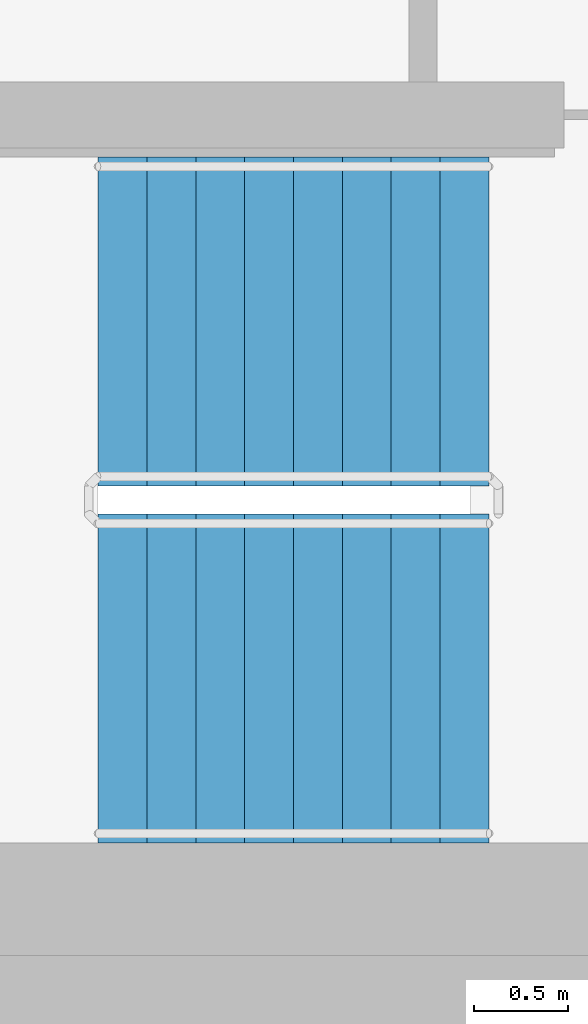
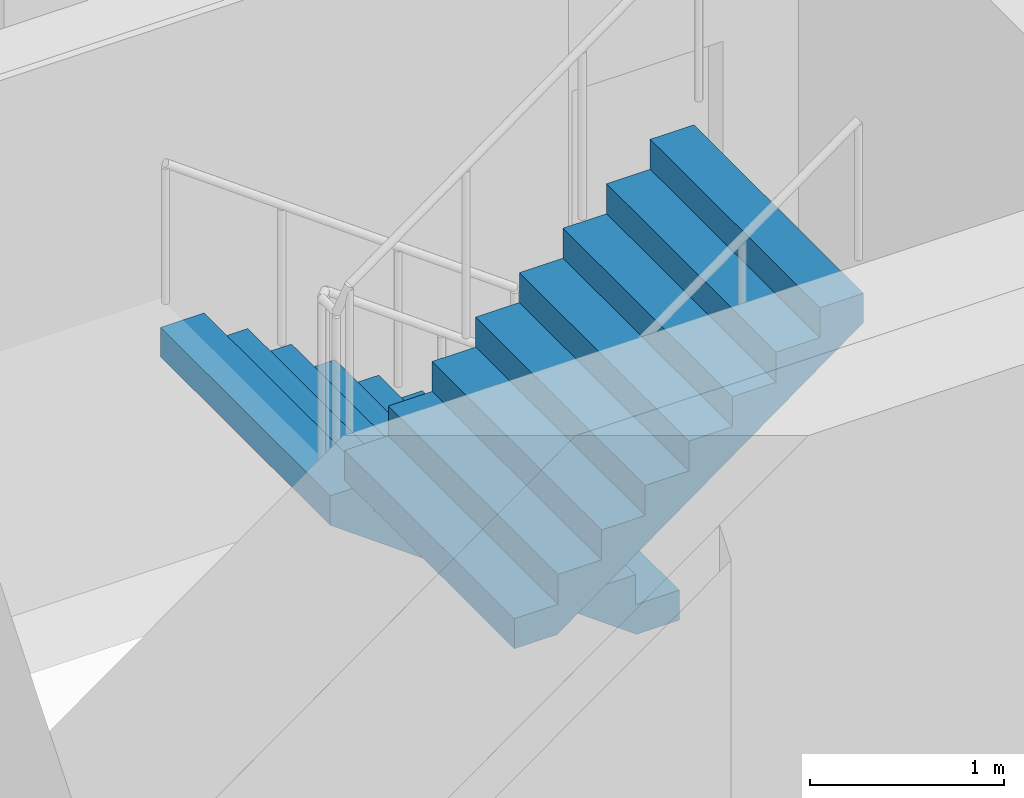
# One storey, part 12 of 18: 2 stair flights, 1 element without a shape of its own.
"""IFC4 building model written with IfcOpenShell, lengths in metres."""

from ifc_helpers import new_model, si_unit, direction, frame, origin, place, context, subcontext, project, spatial, faceted_brep, material, type_object, element, aggregate, save


model = new_model("IFC4")

# Units and contexts
model_context = context("Model", 3, precision=1e-05, world=origin(), true_north=direction((0.0, 1.0)))
body_context = subcontext(model_context, "Body", "Model", "MODEL_VIEW")
ifc_project = project(units=[si_unit("LENGTHUNIT", "METRE"), si_unit("AREAUNIT", "SQUARE_METRE"), si_unit("VOLUMEUNIT", "CUBIC_METRE"), si_unit("PLANEANGLEUNIT", "RADIAN"), si_unit("MASSUNIT", "GRAM", prefix="KILO")], contexts=[model_context])

# Site, building, storey
site_placement = place(None, origin())
site = spatial("IfcSite", under=ifc_project, at=site_placement, CompositionType="ELEMENT")
building_placement = place(site_placement, origin())
building = spatial("IfcBuilding", under=site, at=building_placement, Name="Ipe Terrace Towers", CompositionType="ELEMENT")
storey_placement = place(building_placement, frame((0.0, 0.0, 196.0)))
storey = spatial("IfcBuildingStorey", under=building, at=storey_placement, Name="L54", CompositionType="ELEMENT", Elevation=196.0)

# Stair, stair flights
ifc_material_1 = material(Name="Concrete C30/37", Category="concrete")
stair_type = type_object("IfcStairType", Name="Protected exit stair", PredefinedType="HALF_TURN_STAIR", material=ifc_material_1)
stair_placement = place(storey_placement, origin())
stair = element("IfcStair", 1, at=stair_placement, inside=storey, type_object=stair_type, Name="L54 Exit stair T1-C2", PredefinedType="HALF_TURN_STAIR")
ifc_material_2 = material(Name="Concrete C30/37", Category="concrete")
stair_flight_type = type_object("IfcStairFlightType", Name="Exit stair flight 1750", PredefinedType="STRAIGHT", material=ifc_material_2)
stair_flight_1_placement = place(storey_placement, frame((-45.699951171875, -2.77490234375, 0.0), z_axis=(0.0, 0.0, 1.0), x_axis=(-1.0, 0.0, 0.0)))
stair_flight_1 = element("IfcStairFlight", 2, at=stair_flight_1_placement, type_object=stair_flight_type, Name="T1-ST2 flight 1", NumberOfRisers=9, NumberOfTreads=8, PredefinedType="STRAIGHT", RiserHeight=0.188888889, TreadLength=0.26, context=body_context, shape_type="Brep", body=[
    faceted_brep([(0.255126953125, -0.875, 0.0), (2.080078125, -0.875, 1.325927734375), (2.080078125, -0.875, 1.51123046875), (1.820068359375, -0.875, 1.51123046875), (1.820068359375, -0.875, 1.322265625), (1.56005859375, -0.875, 1.322265625), (1.56005859375, -0.875, 1.13330078125), (1.300048828125, -0.875, 1.13330078125), (1.300048828125, -0.875, 0.9443359375), (1.0400390625, -0.875, 0.9443359375), (1.0400390625, -0.875, 0.755615234375), (0.780029296875, -0.875, 0.755615234375), (0.780029296875, -0.875, 0.566650390625), (0.52001953125, -0.875, 0.566650390625), (0.52001953125, -0.875, 0.377685546875), (0.260009765625, -0.875, 0.377685546875), (0.260009765625, -0.875, 0.18896484375), (0.0, -0.875, 0.18896484375), (0.0, -0.875, 0.0), (0.0, 0.875, 0.0), (0.0, 0.875, 0.18896484375), (0.260009765625, 0.875, 0.18896484375), (0.260009765625, 0.875, 0.377685546875), (0.52001953125, 0.875, 0.377685546875), (0.52001953125, 0.875, 0.566650390625), (0.780029296875, 0.875, 0.566650390625), (0.780029296875, 0.875, 0.755615234375), (1.0400390625, 0.875, 0.755615234375), (1.0400390625, 0.875, 0.9443359375), (1.300048828125, 0.875, 0.9443359375), (1.300048828125, 0.875, 1.13330078125), (1.56005859375, 0.875, 1.13330078125), (1.56005859375, 0.875, 1.322265625), (1.820068359375, 0.875, 1.322265625), (1.820068359375, 0.875, 1.51123046875), (2.080078125, 0.875, 1.51123046875), (2.080078125, 0.875, 1.325927734375), (0.255126953125, 0.875, 0.0), (0.0, -0.300048828125, 0.18896484375), (0.0, -0.1201171875, 0.18896484375), (0.0, -0.06005859375, 0.18896484375), (0.0, -0.030029296875, 0.18896484375), (0.0, -0.010009765625, 0.18896484375), (0.0, 0.0, 0.18896484375), (0.0, 0.010009765625, 0.18896484375), (0.0, 0.030029296875, 0.18896484375), (0.0, 0.06005859375, 0.18896484375), (0.0, 0.1201171875, 0.18896484375), (0.0, 0.300048828125, 0.18896484375), (0.0, 0.300048828125, 0.0), (0.0, 0.1201171875, 0.0), (0.0, 0.06005859375, 0.0), (0.0, 0.030029296875, 0.0), (0.0, 0.010009765625, 0.0), (0.0, 0.0, 0.0), (0.0, -0.010009765625, 0.0), (0.0, -0.030029296875, 0.0), (0.0, -0.06005859375, 0.0), (0.0, -0.1201171875, 0.0), (0.0, -0.300048828125, 0.0), (0.260009765625, -0.300048828125, 0.18896484375), (0.260009765625, -0.1201171875, 0.18896484375), (0.260009765625, -0.06005859375, 0.18896484375), (0.260009765625, -0.030029296875, 0.18896484375), (0.260009765625, -0.010009765625, 0.18896484375), (0.260009765625, 0.0, 0.18896484375), (0.260009765625, 0.010009765625, 0.18896484375), (0.260009765625, 0.030029296875, 0.18896484375), (0.260009765625, 0.06005859375, 0.18896484375), (0.260009765625, 0.1201171875, 0.18896484375), (0.260009765625, 0.300048828125, 0.18896484375), (0.260009765625, -0.300048828125, 0.377685546875), (0.260009765625, -0.1201171875, 0.377685546875), (0.260009765625, -0.06005859375, 0.377685546875), (0.260009765625, -0.030029296875, 0.377685546875), (0.260009765625, -0.010009765625, 0.377685546875), (0.260009765625, 0.0, 0.377685546875), (0.260009765625, 0.010009765625, 0.377685546875), (0.260009765625, 0.030029296875, 0.377685546875), (0.260009765625, 0.06005859375, 0.377685546875), (0.260009765625, 0.1201171875, 0.377685546875), (0.260009765625, 0.300048828125, 0.377685546875), (0.52001953125, -0.300048828125, 0.377685546875), (0.52001953125, -0.1201171875, 0.377685546875), (0.52001953125, -0.06005859375, 0.377685546875), (0.52001953125, -0.030029296875, 0.377685546875), (0.52001953125, -0.010009765625, 0.377685546875), (0.52001953125, 0.0, 0.377685546875), (0.52001953125, 0.010009765625, 0.377685546875), (0.52001953125, 0.030029296875, 0.377685546875), (0.52001953125, 0.06005859375, 0.377685546875), (0.52001953125, 0.1201171875, 0.377685546875), (0.52001953125, 0.300048828125, 0.377685546875), (0.52001953125, -0.300048828125, 0.566650390625), (0.52001953125, -0.1201171875, 0.566650390625), (0.52001953125, -0.06005859375, 0.566650390625), (0.52001953125, -0.030029296875, 0.566650390625), (0.52001953125, -0.010009765625, 0.566650390625), (0.52001953125, 0.0, 0.566650390625), (0.52001953125, 0.010009765625, 0.566650390625), (0.52001953125, 0.030029296875, 0.566650390625), (0.52001953125, 0.06005859375, 0.566650390625), (0.52001953125, 0.1201171875, 0.566650390625), (0.52001953125, 0.300048828125, 0.566650390625), (0.780029296875, -0.300048828125, 0.566650390625), (0.780029296875, -0.1201171875, 0.566650390625), (0.780029296875, -0.06005859375, 0.566650390625), (0.780029296875, -0.030029296875, 0.566650390625), (0.780029296875, -0.010009765625, 0.566650390625), (0.780029296875, 0.0, 0.566650390625), (0.780029296875, 0.010009765625, 0.566650390625), (0.780029296875, 0.030029296875, 0.566650390625), (0.780029296875, 0.06005859375, 0.566650390625), (0.780029296875, 0.1201171875, 0.566650390625), (0.780029296875, 0.300048828125, 0.566650390625), (0.780029296875, -0.300048828125, 0.755615234375), (0.780029296875, -0.1201171875, 0.755615234375), (0.780029296875, -0.06005859375, 0.755615234375), (0.780029296875, -0.030029296875, 0.755615234375), (0.780029296875, -0.010009765625, 0.755615234375), (0.780029296875, 0.0, 0.755615234375), (0.780029296875, 0.010009765625, 0.755615234375), (0.780029296875, 0.030029296875, 0.755615234375), (0.780029296875, 0.06005859375, 0.755615234375), (0.780029296875, 0.1201171875, 0.755615234375), (0.780029296875, 0.300048828125, 0.755615234375), (1.0400390625, -0.300048828125, 0.755615234375), (1.0400390625, -0.1201171875, 0.755615234375), (1.0400390625, -0.06005859375, 0.755615234375), (1.0400390625, -0.030029296875, 0.755615234375), (1.0400390625, -0.010009765625, 0.755615234375), (1.0400390625, 0.0, 0.755615234375), (1.0400390625, 0.010009765625, 0.755615234375), (1.0400390625, 0.030029296875, 0.755615234375), (1.0400390625, 0.06005859375, 0.755615234375), (1.0400390625, 0.1201171875, 0.755615234375), (1.0400390625, 0.300048828125, 0.755615234375), (1.0400390625, -0.300048828125, 0.9443359375), (1.0400390625, -0.1201171875, 0.9443359375), (1.0400390625, -0.06005859375, 0.9443359375), (1.0400390625, -0.030029296875, 0.9443359375), (1.0400390625, -0.010009765625, 0.9443359375), (1.0400390625, 0.0, 0.9443359375), (1.0400390625, 0.010009765625, 0.9443359375), (1.0400390625, 0.030029296875, 0.9443359375), (1.0400390625, 0.06005859375, 0.9443359375), (1.0400390625, 0.1201171875, 0.9443359375), (1.0400390625, 0.300048828125, 0.9443359375), (1.300048828125, -0.300048828125, 0.9443359375), (1.300048828125, -0.1201171875, 0.9443359375), (1.300048828125, -0.06005859375, 0.9443359375), (1.300048828125, -0.030029296875, 0.9443359375), (1.300048828125, -0.010009765625, 0.9443359375), (1.300048828125, 0.0, 0.9443359375), (1.300048828125, 0.010009765625, 0.9443359375), (1.300048828125, 0.030029296875, 0.9443359375), (1.300048828125, 0.06005859375, 0.9443359375), (1.300048828125, 0.1201171875, 0.9443359375), (1.300048828125, 0.300048828125, 0.9443359375), (1.300048828125, -0.300048828125, 1.13330078125), (1.300048828125, -0.1201171875, 1.13330078125), (1.300048828125, -0.06005859375, 1.13330078125), (1.300048828125, -0.030029296875, 1.13330078125), (1.300048828125, -0.010009765625, 1.13330078125), (1.300048828125, 0.0, 1.13330078125), (1.300048828125, 0.010009765625, 1.13330078125), (1.300048828125, 0.030029296875, 1.13330078125), (1.300048828125, 0.06005859375, 1.13330078125), (1.300048828125, 0.1201171875, 1.13330078125), (1.300048828125, 0.300048828125, 1.13330078125), (1.56005859375, -0.300048828125, 1.13330078125), (1.56005859375, -0.1201171875, 1.13330078125), (1.56005859375, -0.06005859375, 1.13330078125), (1.56005859375, -0.030029296875, 1.13330078125), (1.56005859375, -0.010009765625, 1.13330078125), (1.56005859375, 0.0, 1.13330078125), (1.56005859375, 0.010009765625, 1.13330078125), (1.56005859375, 0.030029296875, 1.13330078125), (1.56005859375, 0.06005859375, 1.13330078125), (1.56005859375, 0.1201171875, 1.13330078125), (1.56005859375, 0.300048828125, 1.13330078125), (1.56005859375, -0.300048828125, 1.322265625), (1.56005859375, -0.1201171875, 1.322265625), (1.56005859375, -0.06005859375, 1.322265625), (1.56005859375, -0.030029296875, 1.322265625), (1.56005859375, -0.010009765625, 1.322265625), (1.56005859375, 0.0, 1.322265625), (1.56005859375, 0.010009765625, 1.322265625), (1.56005859375, 0.030029296875, 1.322265625), (1.56005859375, 0.06005859375, 1.322265625), (1.56005859375, 0.1201171875, 1.322265625), (1.56005859375, 0.300048828125, 1.322265625), (1.820068359375, -0.300048828125, 1.322265625), (1.820068359375, -0.1201171875, 1.322265625), (1.820068359375, -0.06005859375, 1.322265625), (1.820068359375, -0.030029296875, 1.322265625), (1.820068359375, -0.010009765625, 1.322265625), (1.820068359375, 0.0, 1.322265625), (1.820068359375, 0.010009765625, 1.322265625), (1.820068359375, 0.030029296875, 1.322265625), (1.820068359375, 0.06005859375, 1.322265625), (1.820068359375, 0.1201171875, 1.322265625), (1.820068359375, 0.300048828125, 1.322265625), (1.820068359375, -0.300048828125, 1.51123046875), (1.820068359375, -0.1201171875, 1.51123046875), (1.820068359375, -0.06005859375, 1.51123046875), (1.820068359375, -0.030029296875, 1.51123046875), (1.820068359375, -0.010009765625, 1.51123046875), (1.820068359375, 0.0, 1.51123046875), (1.820068359375, 0.010009765625, 1.51123046875), (1.820068359375, 0.030029296875, 1.51123046875), (1.820068359375, 0.06005859375, 1.51123046875), (1.820068359375, 0.1201171875, 1.51123046875), (1.820068359375, 0.300048828125, 1.51123046875), (2.080078125, -0.300048828125, 1.51123046875), (2.080078125, -0.1201171875, 1.51123046875), (2.080078125, -0.06005859375, 1.51123046875), (2.080078125, -0.030029296875, 1.51123046875), (2.080078125, -0.010009765625, 1.51123046875), (2.080078125, 0.0, 1.51123046875), (2.080078125, 0.010009765625, 1.51123046875), (2.080078125, 0.030029296875, 1.51123046875), (2.080078125, 0.06005859375, 1.51123046875), (2.080078125, 0.1201171875, 1.51123046875), (2.080078125, 0.300048828125, 1.51123046875), (2.080078125, -0.300048828125, 1.325927734375), (2.080078125, -0.1201171875, 1.325927734375), (2.080078125, -0.06005859375, 1.325927734375), (2.080078125, -0.030029296875, 1.325927734375), (2.080078125, -0.010009765625, 1.325927734375), (2.080078125, 0.0, 1.325927734375), (2.080078125, 0.010009765625, 1.325927734375), (2.080078125, 0.030029296875, 1.325927734375), (2.080078125, 0.06005859375, 1.325927734375), (2.080078125, 0.1201171875, 1.325927734375), (2.080078125, 0.300048828125, 1.325927734375), (0.255126953125, -0.300048828125, 0.0), (0.255126953125, -0.1201171875, 0.0), (0.255126953125, -0.06005859375, 0.0), (0.255126953125, -0.030029296875, 0.0), (0.255126953125, -0.010009765625, 0.0), (0.255126953125, 0.0, 0.0), (0.255126953125, 0.010009765625, 0.0), (0.255126953125, 0.030029296875, 0.0), (0.255126953125, 0.06005859375, 0.0), (0.255126953125, 0.1201171875, 0.0), (0.255126953125, 0.300048828125, 0.0)], [[[0, 1, 2, 3, 4, 5, 6, 7, 8, 9, 10, 11, 12, 13, 14, 15, 16, 17, 18]], [[19, 20, 21, 22, 23, 24, 25, 26, 27, 28, 29, 30, 31, 32, 33, 34, 35, 36, 37]], [[17, 38, 39, 40, 41, 42, 43, 44, 45, 46, 47, 48, 20, 19, 49, 50, 51, 52, 53, 54, 55, 56, 57, 58, 59, 18]], [[16, 60, 61, 62, 63, 64, 65, 66, 67, 68, 69, 70, 21, 20, 48, 47, 46, 45, 44, 43, 42, 41, 40, 39, 38, 17]], [[15, 71, 72, 73, 74, 75, 76, 77, 78, 79, 80, 81, 22, 21, 70, 69, 68, 67, 66, 65, 64, 63, 62, 61, 60, 16]], [[14, 82, 83, 84, 85, 86, 87, 88, 89, 90, 91, 92, 23, 22, 81, 80, 79, 78, 77, 76, 75, 74, 73, 72, 71, 15]], [[13, 93, 94, 95, 96, 97, 98, 99, 100, 101, 102, 103, 24, 23, 92, 91, 90, 89, 88, 87, 86, 85, 84, 83, 82, 14]], [[12, 104, 105, 106, 107, 108, 109, 110, 111, 112, 113, 114, 25, 24, 103, 102, 101, 100, 99, 98, 97, 96, 95, 94, 93, 13]], [[11, 115, 116, 117, 118, 119, 120, 121, 122, 123, 124, 125, 26, 25, 114, 113, 112, 111, 110, 109, 108, 107, 106, 105, 104, 12]], [[10, 126, 127, 128, 129, 130, 131, 132, 133, 134, 135, 136, 27, 26, 125, 124, 123, 122, 121, 120, 119, 118, 117, 116, 115, 11]], [[9, 137, 138, 139, 140, 141, 142, 143, 144, 145, 146, 147, 28, 27, 136, 135, 134, 133, 132, 131, 130, 129, 128, 127, 126, 10]], [[8, 148, 149, 150, 151, 152, 153, 154, 155, 156, 157, 158, 29, 28, 147, 146, 145, 144, 143, 142, 141, 140, 139, 138, 137, 9]], [[7, 159, 160, 161, 162, 163, 164, 165, 166, 167, 168, 169, 30, 29, 158, 157, 156, 155, 154, 153, 152, 151, 150, 149, 148, 8]], [[6, 170, 171, 172, 173, 174, 175, 176, 177, 178, 179, 180, 31, 30, 169, 168, 167, 166, 165, 164, 163, 162, 161, 160, 159, 7]], [[5, 181, 182, 183, 184, 185, 186, 187, 188, 189, 190, 191, 32, 31, 180, 179, 178, 177, 176, 175, 174, 173, 172, 171, 170, 6]], [[4, 192, 193, 194, 195, 196, 197, 198, 199, 200, 201, 202, 33, 32, 191, 190, 189, 188, 187, 186, 185, 184, 183, 182, 181, 5]], [[3, 203, 204, 205, 206, 207, 208, 209, 210, 211, 212, 213, 34, 33, 202, 201, 200, 199, 198, 197, 196, 195, 194, 193, 192, 4]], [[2, 214, 215, 216, 217, 218, 219, 220, 221, 222, 223, 224, 35, 34, 213, 212, 211, 210, 209, 208, 207, 206, 205, 204, 203, 3]], [[1, 225, 226, 227, 228, 229, 230, 231, 232, 233, 234, 235, 36, 35, 224, 223, 222, 221, 220, 219, 218, 217, 216, 215, 214, 2]], [[0, 236, 237, 238, 239, 240, 241, 242, 243, 244, 245, 246, 37, 36, 235, 234, 233, 232, 231, 230, 229, 228, 227, 226, 225, 1]], [[18, 59, 58, 57, 56, 55, 54, 53, 52, 51, 50, 49, 19, 37, 246, 245, 244, 243, 242, 241, 240, 239, 238, 237, 236, 0]]]),
])
stair_flight_2_placement = place(storey_placement, frame((-47.780029296875, -4.675048828125, 1.699951171875), z_axis=(0.0, 0.0, 1.0), x_axis=(1.0, 0.0, 0.0)))
stair_flight_2 = element("IfcStairFlight", 3, at=stair_flight_2_placement, type_object=stair_flight_type, Name="T1-ST2 flight 2", NumberOfRisers=9, NumberOfTreads=8, PredefinedType="STRAIGHT", RiserHeight=0.188888889, TreadLength=0.26, context=body_context, shape_type="Brep", body=[
    faceted_brep([(0.255126953125, -0.875, 0.0), (2.080078125, -0.875, 1.325927734375), (2.080078125, -0.875, 1.51123046875), (1.820068359375, -0.875, 1.51123046875), (1.820068359375, -0.875, 1.322265625), (1.56005859375, -0.875, 1.322265625), (1.56005859375, -0.875, 1.13330078125), (1.300048828125, -0.875, 1.13330078125), (1.300048828125, -0.875, 0.9443359375), (1.0400390625, -0.875, 0.9443359375), (1.0400390625, -0.875, 0.755615234375), (0.780029296875, -0.875, 0.755615234375), (0.780029296875, -0.875, 0.566650390625), (0.52001953125, -0.875, 0.566650390625), (0.52001953125, -0.875, 0.377685546875), (0.260009765625, -0.875, 0.377685546875), (0.260009765625, -0.875, 0.18896484375), (0.0, -0.875, 0.18896484375), (0.0, -0.875, 0.0), (0.0, 0.875, 0.0), (0.0, 0.875, 0.18896484375), (0.260009765625, 0.875, 0.18896484375), (0.260009765625, 0.875, 0.377685546875), (0.52001953125, 0.875, 0.377685546875), (0.52001953125, 0.875, 0.566650390625), (0.780029296875, 0.875, 0.566650390625), (0.780029296875, 0.875, 0.755615234375), (1.0400390625, 0.875, 0.755615234375), (1.0400390625, 0.875, 0.9443359375), (1.300048828125, 0.875, 0.9443359375), (1.300048828125, 0.875, 1.13330078125), (1.56005859375, 0.875, 1.13330078125), (1.56005859375, 0.875, 1.322265625), (1.820068359375, 0.875, 1.322265625), (1.820068359375, 0.875, 1.51123046875), (2.080078125, 0.875, 1.51123046875), (2.080078125, 0.875, 1.325927734375), (0.255126953125, 0.875, 0.0), (0.0, -0.300048828125, 0.18896484375), (0.0, -0.1201171875, 0.18896484375), (0.0, -0.06005859375, 0.18896484375), (0.0, -0.030029296875, 0.18896484375), (0.0, -0.010009765625, 0.18896484375), (0.0, 0.0, 0.18896484375), (0.0, 0.010009765625, 0.18896484375), (0.0, 0.030029296875, 0.18896484375), (0.0, 0.06005859375, 0.18896484375), (0.0, 0.1201171875, 0.18896484375), (0.0, 0.300048828125, 0.18896484375), (0.0, 0.300048828125, 0.0), (0.0, 0.1201171875, 0.0), (0.0, 0.06005859375, 0.0), (0.0, 0.030029296875, 0.0), (0.0, 0.010009765625, 0.0), (0.0, 0.0, 0.0), (0.0, -0.010009765625, 0.0), (0.0, -0.030029296875, 0.0), (0.0, -0.06005859375, 0.0), (0.0, -0.1201171875, 0.0), (0.0, -0.300048828125, 0.0), (0.260009765625, -0.300048828125, 0.18896484375), (0.260009765625, -0.1201171875, 0.18896484375), (0.260009765625, -0.06005859375, 0.18896484375), (0.260009765625, -0.030029296875, 0.18896484375), (0.260009765625, -0.010009765625, 0.18896484375), (0.260009765625, 0.0, 0.18896484375), (0.260009765625, 0.010009765625, 0.18896484375), (0.260009765625, 0.030029296875, 0.18896484375), (0.260009765625, 0.06005859375, 0.18896484375), (0.260009765625, 0.1201171875, 0.18896484375), (0.260009765625, 0.300048828125, 0.18896484375), (0.260009765625, -0.300048828125, 0.377685546875), (0.260009765625, -0.1201171875, 0.377685546875), (0.260009765625, -0.06005859375, 0.377685546875), (0.260009765625, -0.030029296875, 0.377685546875), (0.260009765625, -0.010009765625, 0.377685546875), (0.260009765625, 0.0, 0.377685546875), (0.260009765625, 0.010009765625, 0.377685546875), (0.260009765625, 0.030029296875, 0.377685546875), (0.260009765625, 0.06005859375, 0.377685546875), (0.260009765625, 0.1201171875, 0.377685546875), (0.260009765625, 0.300048828125, 0.377685546875), (0.52001953125, -0.300048828125, 0.377685546875), (0.52001953125, -0.1201171875, 0.377685546875), (0.52001953125, -0.06005859375, 0.377685546875), (0.52001953125, -0.030029296875, 0.377685546875), (0.52001953125, -0.010009765625, 0.377685546875), (0.52001953125, 0.0, 0.377685546875), (0.52001953125, 0.010009765625, 0.377685546875), (0.52001953125, 0.030029296875, 0.377685546875), (0.52001953125, 0.06005859375, 0.377685546875), (0.52001953125, 0.1201171875, 0.377685546875), (0.52001953125, 0.300048828125, 0.377685546875), (0.52001953125, -0.300048828125, 0.566650390625), (0.52001953125, -0.1201171875, 0.566650390625), (0.52001953125, -0.06005859375, 0.566650390625), (0.52001953125, -0.030029296875, 0.566650390625), (0.52001953125, -0.010009765625, 0.566650390625), (0.52001953125, 0.0, 0.566650390625), (0.52001953125, 0.010009765625, 0.566650390625), (0.52001953125, 0.030029296875, 0.566650390625), (0.52001953125, 0.06005859375, 0.566650390625), (0.52001953125, 0.1201171875, 0.566650390625), (0.52001953125, 0.300048828125, 0.566650390625), (0.780029296875, -0.300048828125, 0.566650390625), (0.780029296875, -0.1201171875, 0.566650390625), (0.780029296875, -0.06005859375, 0.566650390625), (0.780029296875, -0.030029296875, 0.566650390625), (0.780029296875, -0.010009765625, 0.566650390625), (0.780029296875, 0.0, 0.566650390625), (0.780029296875, 0.010009765625, 0.566650390625), (0.780029296875, 0.030029296875, 0.566650390625), (0.780029296875, 0.06005859375, 0.566650390625), (0.780029296875, 0.1201171875, 0.566650390625), (0.780029296875, 0.300048828125, 0.566650390625), (0.780029296875, -0.300048828125, 0.755615234375), (0.780029296875, -0.1201171875, 0.755615234375), (0.780029296875, -0.06005859375, 0.755615234375), (0.780029296875, -0.030029296875, 0.755615234375), (0.780029296875, -0.010009765625, 0.755615234375), (0.780029296875, 0.0, 0.755615234375), (0.780029296875, 0.010009765625, 0.755615234375), (0.780029296875, 0.030029296875, 0.755615234375), (0.780029296875, 0.06005859375, 0.755615234375), (0.780029296875, 0.1201171875, 0.755615234375), (0.780029296875, 0.300048828125, 0.755615234375), (1.0400390625, -0.300048828125, 0.755615234375), (1.0400390625, -0.1201171875, 0.755615234375), (1.0400390625, -0.06005859375, 0.755615234375), (1.0400390625, -0.030029296875, 0.755615234375), (1.0400390625, -0.010009765625, 0.755615234375), (1.0400390625, 0.0, 0.755615234375), (1.0400390625, 0.010009765625, 0.755615234375), (1.0400390625, 0.030029296875, 0.755615234375), (1.0400390625, 0.06005859375, 0.755615234375), (1.0400390625, 0.1201171875, 0.755615234375), (1.0400390625, 0.300048828125, 0.755615234375), (1.0400390625, -0.300048828125, 0.9443359375), (1.0400390625, -0.1201171875, 0.9443359375), (1.0400390625, -0.06005859375, 0.9443359375), (1.0400390625, -0.030029296875, 0.9443359375), (1.0400390625, -0.010009765625, 0.9443359375), (1.0400390625, 0.0, 0.9443359375), (1.0400390625, 0.010009765625, 0.9443359375), (1.0400390625, 0.030029296875, 0.9443359375), (1.0400390625, 0.06005859375, 0.9443359375), (1.0400390625, 0.1201171875, 0.9443359375), (1.0400390625, 0.300048828125, 0.9443359375), (1.300048828125, -0.300048828125, 0.9443359375), (1.300048828125, -0.1201171875, 0.9443359375), (1.300048828125, -0.06005859375, 0.9443359375), (1.300048828125, -0.030029296875, 0.9443359375), (1.300048828125, -0.010009765625, 0.9443359375), (1.300048828125, 0.0, 0.9443359375), (1.300048828125, 0.010009765625, 0.9443359375), (1.300048828125, 0.030029296875, 0.9443359375), (1.300048828125, 0.06005859375, 0.9443359375), (1.300048828125, 0.1201171875, 0.9443359375), (1.300048828125, 0.300048828125, 0.9443359375), (1.300048828125, -0.300048828125, 1.13330078125), (1.300048828125, -0.1201171875, 1.13330078125), (1.300048828125, -0.06005859375, 1.13330078125), (1.300048828125, -0.030029296875, 1.13330078125), (1.300048828125, -0.010009765625, 1.13330078125), (1.300048828125, 0.0, 1.13330078125), (1.300048828125, 0.010009765625, 1.13330078125), (1.300048828125, 0.030029296875, 1.13330078125), (1.300048828125, 0.06005859375, 1.13330078125), (1.300048828125, 0.1201171875, 1.13330078125), (1.300048828125, 0.300048828125, 1.13330078125), (1.56005859375, -0.300048828125, 1.13330078125), (1.56005859375, -0.1201171875, 1.13330078125), (1.56005859375, -0.06005859375, 1.13330078125), (1.56005859375, -0.030029296875, 1.13330078125), (1.56005859375, -0.010009765625, 1.13330078125), (1.56005859375, 0.0, 1.13330078125), (1.56005859375, 0.010009765625, 1.13330078125), (1.56005859375, 0.030029296875, 1.13330078125), (1.56005859375, 0.06005859375, 1.13330078125), (1.56005859375, 0.1201171875, 1.13330078125), (1.56005859375, 0.300048828125, 1.13330078125), (1.56005859375, -0.300048828125, 1.322265625), (1.56005859375, -0.1201171875, 1.322265625), (1.56005859375, -0.06005859375, 1.322265625), (1.56005859375, -0.030029296875, 1.322265625), (1.56005859375, -0.010009765625, 1.322265625), (1.56005859375, 0.0, 1.322265625), (1.56005859375, 0.010009765625, 1.322265625), (1.56005859375, 0.030029296875, 1.322265625), (1.56005859375, 0.06005859375, 1.322265625), (1.56005859375, 0.1201171875, 1.322265625), (1.56005859375, 0.300048828125, 1.322265625), (1.820068359375, -0.300048828125, 1.322265625), (1.820068359375, -0.1201171875, 1.322265625), (1.820068359375, -0.06005859375, 1.322265625), (1.820068359375, -0.030029296875, 1.322265625), (1.820068359375, -0.010009765625, 1.322265625), (1.820068359375, 0.0, 1.322265625), (1.820068359375, 0.010009765625, 1.322265625), (1.820068359375, 0.030029296875, 1.322265625), (1.820068359375, 0.06005859375, 1.322265625), (1.820068359375, 0.1201171875, 1.322265625), (1.820068359375, 0.300048828125, 1.322265625), (1.820068359375, -0.300048828125, 1.51123046875), (1.820068359375, -0.1201171875, 1.51123046875), (1.820068359375, -0.06005859375, 1.51123046875), (1.820068359375, -0.030029296875, 1.51123046875), (1.820068359375, -0.010009765625, 1.51123046875), (1.820068359375, 0.0, 1.51123046875), (1.820068359375, 0.010009765625, 1.51123046875), (1.820068359375, 0.030029296875, 1.51123046875), (1.820068359375, 0.06005859375, 1.51123046875), (1.820068359375, 0.1201171875, 1.51123046875), (1.820068359375, 0.300048828125, 1.51123046875), (2.080078125, -0.300048828125, 1.51123046875), (2.080078125, -0.1201171875, 1.51123046875), (2.080078125, -0.06005859375, 1.51123046875), (2.080078125, -0.030029296875, 1.51123046875), (2.080078125, -0.010009765625, 1.51123046875), (2.080078125, 0.0, 1.51123046875), (2.080078125, 0.010009765625, 1.51123046875), (2.080078125, 0.030029296875, 1.51123046875), (2.080078125, 0.06005859375, 1.51123046875), (2.080078125, 0.1201171875, 1.51123046875), (2.080078125, 0.300048828125, 1.51123046875), (2.080078125, -0.300048828125, 1.325927734375), (2.080078125, -0.1201171875, 1.325927734375), (2.080078125, -0.06005859375, 1.325927734375), (2.080078125, -0.030029296875, 1.325927734375), (2.080078125, -0.010009765625, 1.325927734375), (2.080078125, 0.0, 1.325927734375), (2.080078125, 0.010009765625, 1.325927734375), (2.080078125, 0.030029296875, 1.325927734375), (2.080078125, 0.06005859375, 1.325927734375), (2.080078125, 0.1201171875, 1.325927734375), (2.080078125, 0.300048828125, 1.325927734375), (0.255126953125, -0.300048828125, 0.0), (0.255126953125, -0.1201171875, 0.0), (0.255126953125, -0.06005859375, 0.0), (0.255126953125, -0.030029296875, 0.0), (0.255126953125, -0.010009765625, 0.0), (0.255126953125, 0.0, 0.0), (0.255126953125, 0.010009765625, 0.0), (0.255126953125, 0.030029296875, 0.0), (0.255126953125, 0.06005859375, 0.0), (0.255126953125, 0.1201171875, 0.0), (0.255126953125, 0.300048828125, 0.0)], [[[0, 1, 2, 3, 4, 5, 6, 7, 8, 9, 10, 11, 12, 13, 14, 15, 16, 17, 18]], [[19, 20, 21, 22, 23, 24, 25, 26, 27, 28, 29, 30, 31, 32, 33, 34, 35, 36, 37]], [[17, 38, 39, 40, 41, 42, 43, 44, 45, 46, 47, 48, 20, 19, 49, 50, 51, 52, 53, 54, 55, 56, 57, 58, 59, 18]], [[16, 60, 61, 62, 63, 64, 65, 66, 67, 68, 69, 70, 21, 20, 48, 47, 46, 45, 44, 43, 42, 41, 40, 39, 38, 17]], [[15, 71, 72, 73, 74, 75, 76, 77, 78, 79, 80, 81, 22, 21, 70, 69, 68, 67, 66, 65, 64, 63, 62, 61, 60, 16]], [[14, 82, 83, 84, 85, 86, 87, 88, 89, 90, 91, 92, 23, 22, 81, 80, 79, 78, 77, 76, 75, 74, 73, 72, 71, 15]], [[13, 93, 94, 95, 96, 97, 98, 99, 100, 101, 102, 103, 24, 23, 92, 91, 90, 89, 88, 87, 86, 85, 84, 83, 82, 14]], [[12, 104, 105, 106, 107, 108, 109, 110, 111, 112, 113, 114, 25, 24, 103, 102, 101, 100, 99, 98, 97, 96, 95, 94, 93, 13]], [[11, 115, 116, 117, 118, 119, 120, 121, 122, 123, 124, 125, 26, 25, 114, 113, 112, 111, 110, 109, 108, 107, 106, 105, 104, 12]], [[10, 126, 127, 128, 129, 130, 131, 132, 133, 134, 135, 136, 27, 26, 125, 124, 123, 122, 121, 120, 119, 118, 117, 116, 115, 11]], [[9, 137, 138, 139, 140, 141, 142, 143, 144, 145, 146, 147, 28, 27, 136, 135, 134, 133, 132, 131, 130, 129, 128, 127, 126, 10]], [[8, 148, 149, 150, 151, 152, 153, 154, 155, 156, 157, 158, 29, 28, 147, 146, 145, 144, 143, 142, 141, 140, 139, 138, 137, 9]], [[7, 159, 160, 161, 162, 163, 164, 165, 166, 167, 168, 169, 30, 29, 158, 157, 156, 155, 154, 153, 152, 151, 150, 149, 148, 8]], [[6, 170, 171, 172, 173, 174, 175, 176, 177, 178, 179, 180, 31, 30, 169, 168, 167, 166, 165, 164, 163, 162, 161, 160, 159, 7]], [[5, 181, 182, 183, 184, 185, 186, 187, 188, 189, 190, 191, 32, 31, 180, 179, 178, 177, 176, 175, 174, 173, 172, 171, 170, 6]], [[4, 192, 193, 194, 195, 196, 197, 198, 199, 200, 201, 202, 33, 32, 191, 190, 189, 188, 187, 186, 185, 184, 183, 182, 181, 5]], [[3, 203, 204, 205, 206, 207, 208, 209, 210, 211, 212, 213, 34, 33, 202, 201, 200, 199, 198, 197, 196, 195, 194, 193, 192, 4]], [[2, 214, 215, 216, 217, 218, 219, 220, 221, 222, 223, 224, 35, 34, 213, 212, 211, 210, 209, 208, 207, 206, 205, 204, 203, 3]], [[1, 225, 226, 227, 228, 229, 230, 231, 232, 233, 234, 235, 36, 35, 224, 223, 222, 221, 220, 219, 218, 217, 216, 215, 214, 2]], [[0, 236, 237, 238, 239, 240, 241, 242, 243, 244, 245, 246, 37, 36, 235, 234, 233, 232, 231, 230, 229, 228, 227, 226, 225, 1]], [[18, 59, 58, 57, 56, 55, 54, 53, 52, 51, 50, 49, 19, 37, 246, 245, 244, 243, 242, 241, 240, 239, 238, 237, 236, 0]]]),
])
aggregate(stair, [stair_flight_1, stair_flight_2])

save(model, "model.ifc")
